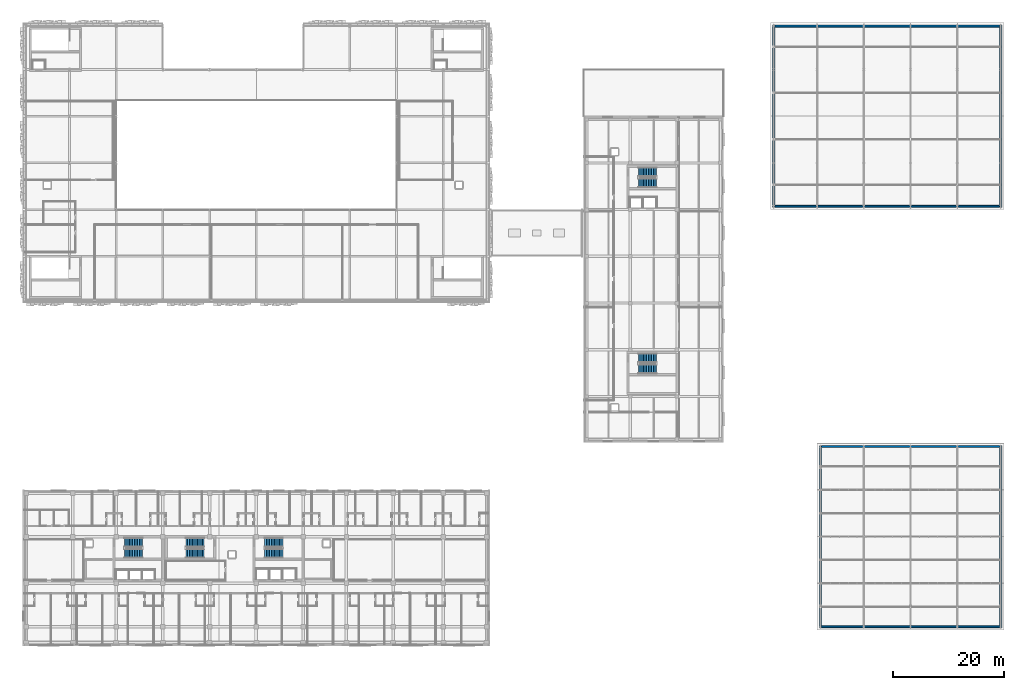
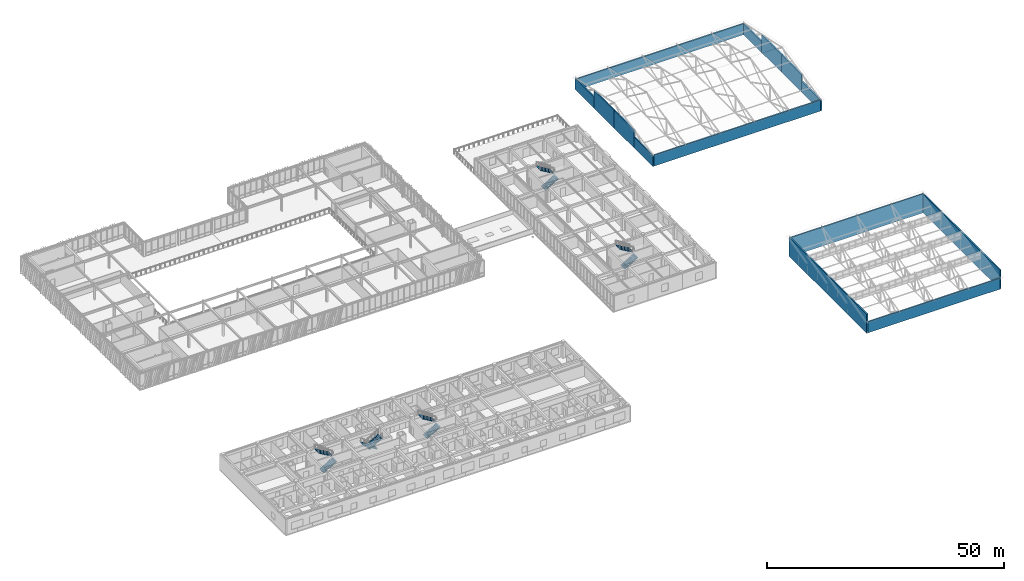
# One storey, part 115 of 123: 14 walls, 10 stair flights, 5 elements without a shape of their own.
"""IFC4 building model written with IfcOpenShell, lengths in metres."""

from ifc_helpers import new_model, si_unit, direction, frame, frame_2d, origin, place, context, subcontext, project, spatial, polyline, rectangle, outline, extrude, material, layer, layer_set, type_object, element, aggregate, save


model = new_model("IFC4")

# Units and contexts
model_context = context("Model", 3, precision=1e-05, world=origin(), true_north=direction((0.0, 1.0)))
body_context = subcontext(model_context, "Body", "Model", "MODEL_VIEW")
ifc_project = project(units=[si_unit("LENGTHUNIT", "METRE"), si_unit("AREAUNIT", "SQUARE_METRE"), si_unit("VOLUMEUNIT", "CUBIC_METRE"), si_unit("PLANEANGLEUNIT", "RADIAN"), si_unit("MASSUNIT", "GRAM", prefix="KILO")], contexts=[model_context])

# Site, building, storey
site_placement = place(None, origin())
site = spatial("IfcSite", under=ifc_project, at=site_placement, CompositionType="ELEMENT")
building_placement = place(site_placement, origin())
building = spatial("IfcBuilding", under=site, at=building_placement, Name="Zayran Congress Hotel", CompositionType="ELEMENT")
storey_placement = place(building_placement, frame((0.0, 0.0, 15.0)))
storey = spatial("IfcBuildingStorey", under=building, at=storey_placement, Name="L03", CompositionType="ELEMENT", Elevation=15.0)

# Walls
ifc_material_1 = material(Name="Hajar Ma'ani limestone and insulated concrete C32/40", Category="masonry")
ifc_layer_1 = layer(ifc_material_1, 0.340087890625)
ifc_layer_set_1 = layer_set([ifc_layer_1], Name="Hajar Ma'ani limestone and insulated concrete C32/40")
wall_type_1 = type_object("IfcWallType", Name="WL-EX-340", PredefinedType="SOLIDWALL", material=ifc_layer_set_1)
for number, where, z_axis, x_axis, name in (
    (1, (184.030029296875, 85.0, -0.199951171875), (0.0, 0.0, 1.0), (-1.0, 0.0, 0.0), "EW-V2-L03-S"),
    (2, (143.570068359375, 117.39990234375, -0.199951171875), (0.0, 0.0, 1.0), (1.0, 0.0, 0.0), "EW-V2-L03-N"),
):
    element("IfcWall", number, at=place(storey_placement, frame(where, z_axis=z_axis, x_axis=x_axis)), inside=storey, type_object=wall_type_1, Name=name, PredefinedType="SOLIDWALL", context=body_context, shape_type="SweptSolid", body=[
        extrude(rectangle(XDim=40.4599609375, YDim=0.340087890625, at=frame_2d((20.22998046875, 0.0))), origin(), (0.0, 0.0, 1.0), 2.820068359375),
    ])
for number, where, z_axis, x_axis, name in (
    (3, (143.39990234375, 84.830078125, -0.199951171875), (0.0, 0.0, 1.0), (0.0, 1.0, 0.0), "EW-V2-L03-W-0"),
    (4, (184.199951171875, 92.800048828125, -0.199951171875), (0.0, 0.0, 1.0), (0.0, -1.0, 0.0), "EW-V2-L03-E-0"),
):
    element("IfcWall", number, at=place(storey_placement, frame(where, z_axis=z_axis, x_axis=x_axis)), inside=storey, type_object=wall_type_1, Name=name, PredefinedType="SOLIDWALL", context=body_context, shape_type="SweptSolid", body=[
        extrude(rectangle(XDim=7.969970703125, YDim=0.340087890625, at=frame_2d((3.98486328125, 0.0))), origin(), (0.0, 0.0, 1.0), 2.820068359375),
    ])
for number, where, z_axis, x_axis, name in (
    (5, (143.39990234375, 92.800048828125, -0.199951171875), (0.0, 0.0, 1.0), (0.0, 1.0, 0.0), "EW-V2-L03-W-1"),
    (6, (184.199951171875, 101.199951171875, -0.199951171875), (0.0, 0.0, 1.0), (0.0, -1.0, 0.0), "EW-V2-L03-E-1"),
):
    element("IfcWall", number, at=place(storey_placement, frame(where, z_axis=z_axis, x_axis=x_axis)), inside=storey, type_object=wall_type_1, Name=name, PredefinedType="SOLIDWALL", context=body_context, shape_type="SweptSolid", body=[
        extrude(rectangle(XDim=8.39990234375, YDim=0.340087890625, at=frame_2d((4.199951171875, 0.0))), origin(), (0.0, 0.0, 1.0), 4.550048828125),
    ])
for number, where, z_axis, x_axis, name in (
    (7, (143.39990234375, 101.199951171875, -0.199951171875), (0.0, 0.0, 1.0), (0.0, 1.0, 0.0), "EW-V2-L03-W-2"),
    (8, (184.199951171875, 109.60009765625, -0.199951171875), (0.0, 0.0, 1.0), (0.0, -1.0, 0.0), "EW-V2-L03-E-2"),
):
    element("IfcWall", number, at=place(storey_placement, frame(where, z_axis=z_axis, x_axis=x_axis)), inside=storey, type_object=wall_type_1, Name=name, PredefinedType="SOLIDWALL", context=body_context, shape_type="SweptSolid", body=[
        extrude(rectangle(XDim=8.400146484375, YDim=0.340087890625, at=frame_2d((4.2001953125, 0.0))), origin(), (0.0, 0.0, 1.0), 4.550048828125),
    ])
for number, where, z_axis, x_axis, name in (
    (9, (143.39990234375, 109.60009765625, -0.199951171875), (0.0, 0.0, 1.0), (0.0, 1.0, 0.0), "EW-V2-L03-W-3"),
    (10, (184.199951171875, 117.570068359375, -0.199951171875), (0.0, 0.0, 1.0), (0.0, -1.0, 0.0), "EW-V2-L03-E-3"),
):
    element("IfcWall", number, at=place(storey_placement, frame(where, z_axis=z_axis, x_axis=x_axis)), inside=storey, type_object=wall_type_1, Name=name, PredefinedType="SOLIDWALL", context=body_context, shape_type="SweptSolid", body=[
        extrude(rectangle(XDim=7.969970703125, YDim=0.340087890625, at=frame_2d((3.98486328125, 0.0))), origin(), (0.0, 0.0, 1.0), 2.820068359375),
    ])
ifc_material_2 = material(Name="Ajlun white limestone and insulated concrete C32/40", Category="masonry")
ifc_layer_2 = layer(ifc_material_2, 0.320068359375)
ifc_layer_set_2 = layer_set([ifc_layer_2], Name="Ajlun white limestone and insulated concrete C32/40")
wall_type_2 = type_object("IfcWallType", Name="WL-EX-320", PredefinedType="SOLIDWALL", material=ifc_layer_set_2)
for number, where, z_axis, x_axis, name in (
    (11, (151.800048828125, 9.239990234375, -0.199951171875), (0.0, 0.0, 1.0), (0.0, 1.0, 0.0), "EW-V3-L03-W"),
    (12, (184.199951171875, 41.9599609375, -0.199951171875), (0.0, 0.0, 1.0), (0.0, -1.0, 0.0), "EW-V3-L03-E"),
):
    element("IfcWall", number, at=place(storey_placement, frame(where, z_axis=z_axis, x_axis=x_axis)), inside=storey, type_object=wall_type_2, Name=name, PredefinedType="SOLIDWALL", context=body_context, shape_type="SweptSolid", body=[
        extrude(rectangle(XDim=32.719970703125, YDim=0.320068359375, at=frame_2d((16.35986328125, 0.0))), origin(), (0.0, 0.0, 1.0), 4.8798828125),
    ])
wall_1_placement = place(storey_placement, frame((184.0400390625, 9.39990234375, -0.199951171875), z_axis=(0.0, 0.0, 1.0), x_axis=(-1.0, 0.0, 0.0)))
element("IfcWall", 13, at=wall_1_placement, inside=storey, type_object=wall_type_2, Name="EW-V3-L03-S", PredefinedType="SOLIDWALL", context=body_context, shape_type="SweptSolid", body=[
    extrude(rectangle(XDim=32.080078125, YDim=0.320068359375, at=frame_2d((16.0400390625, 0.0))), origin(), (0.0, 0.0, 1.0), 2.820068359375),
])
wall_2_placement = place(storey_placement, frame((151.9599609375, 41.800048828125, -0.199951171875), z_axis=(0.0, 0.0, 1.0), x_axis=(1.0, 0.0, 0.0)))
element("IfcWall", 14, at=wall_2_placement, inside=storey, type_object=wall_type_2, Name="EW-V3-L03-N", PredefinedType="SOLIDWALL", context=body_context, shape_type="SweptSolid", body=[
    extrude(rectangle(XDim=32.080078125, YDim=0.320068359375, at=frame_2d((16.0400390625, 0.0))), origin(), (0.0, 0.0, 1.0), 4.8798828125),
])

# Stair, stair flights
ifc_material_3 = material(Name="Concrete C32/40", Category="concrete")
stair_type = type_object("IfcStairType", Name="TP-STR-1700-42", PredefinedType="USERDEFINED", material=ifc_material_3)
stair_1_placement = place(storey_placement, origin())
stair_1 = element("IfcStair", 15, at=stair_1_placement, inside=storey, type_object=stair_type, Name="L03 ST-01", ObjectType="TWO_RETURN_STAIR", PredefinedType="USERDEFINED")
stair_flight_type = type_object("IfcStairFlightType", Name="TP-STF-1700-42", PredefinedType="STRAIGHT", material=ifc_material_3)
stair_flight_1_placement = place(storey_placement, frame((26.699951171875, 22.610107421875, 0.0), z_axis=(0.0, 0.0, 1.0), x_axis=(1.0, 0.0, 0.0)))
stair_flight_1 = element("IfcStairFlight", 16, at=stair_flight_1_placement, type_object=stair_flight_type, Name="ST-01 flight 1", NumberOfRisers=12, NumberOfTreads=11, PredefinedType="STRAIGHT", RiserHeight=0.17499999999999996, TreadLength=0.295, context=body_context, shape_type="SweptSolid", body=[
    extrude(outline(polyline([(0.0, 0.0), (0.0, 0.175048828125), (0.294921875, 0.175048828125), (0.294921875, 0.35009765625), (0.590087890625, 0.35009765625), (0.590087890625, 0.52490234375), (0.885009765625, 0.52490234375), (0.885009765625, 0.699951171875), (1.179931640625, 0.699951171875), (1.179931640625, 0.875), (1.47509765625, 0.875), (1.47509765625, 1.050048828125), (1.77001953125, 1.050048828125), (1.77001953125, 1.22509765625), (2.06494140625, 1.22509765625), (2.06494140625, 1.39990234375), (2.360107421875, 1.39990234375), (2.360107421875, 1.574951171875), (2.655029296875, 1.574951171875), (2.655029296875, 1.75), (2.949951171875, 1.75), (2.949951171875, 1.925048828125), (3.2451171875, 1.925048828125), (3.2451171875, 2.10009765625), (3.2451171875, 1.750732421875), (0.293701171875, 0.0), (0.0, 0.0)])), frame((0.0, 0.85009765625, 0.0), z_axis=(0.0, -1.0, 0.0), x_axis=(1.0, 0.0, 0.0)), (0.0, 0.0, 1.0), 1.699951171875),
])
stair_flight_2_placement = place(storey_placement, frame((29.945068359375, 24.550048828125, 2.10009765625), z_axis=(0.0, 0.0, 1.0), x_axis=(-1.0, 0.0, 0.0)))
stair_flight_2 = element("IfcStairFlight", 17, at=stair_flight_2_placement, type_object=stair_flight_type, Name="ST-01 flight 2", NumberOfRisers=12, NumberOfTreads=11, PredefinedType="STRAIGHT", RiserHeight=0.17499999999999996, TreadLength=0.295, context=body_context, shape_type="SweptSolid", body=[
    extrude(outline(polyline([(0.0, 0.0), (0.0, 0.175048828125), (0.294921875, 0.175048828125), (0.294921875, 0.35009765625), (0.590087890625, 0.35009765625), (0.590087890625, 0.52490234375), (0.885009765625, 0.52490234375), (0.885009765625, 0.699951171875), (1.179931640625, 0.699951171875), (1.179931640625, 0.875), (1.47509765625, 0.875), (1.47509765625, 1.050048828125), (1.77001953125, 1.050048828125), (1.77001953125, 1.22509765625), (2.06494140625, 1.22509765625), (2.06494140625, 1.39990234375), (2.360107421875, 1.39990234375), (2.360107421875, 1.574951171875), (2.655029296875, 1.574951171875), (2.655029296875, 1.75), (2.949951171875, 1.75), (2.949951171875, 1.925048828125), (3.2451171875, 1.925048828125), (3.2451171875, 2.10009765625), (3.2451171875, 1.750732421875), (0.293701171875, 0.0), (0.0, 0.0)])), frame((0.0, 0.85009765625, 0.0), z_axis=(0.0, -1.0, 0.0), x_axis=(1.0, 0.0, 0.0)), (0.0, 0.0, 1.0), 1.699951171875),
])
aggregate(stair_1, [stair_flight_1, stair_flight_2])

stair_2_placement = place(storey_placement, origin())
stair_2 = element("IfcStair", 18, at=stair_2_placement, inside=storey, type_object=stair_type, Name="L03 ST-02", ObjectType="TWO_RETURN_STAIR", PredefinedType="USERDEFINED")
stair_flight_3_placement = place(storey_placement, frame((51.89990234375, 22.610107421875, 0.0), z_axis=(0.0, 0.0, 1.0), x_axis=(1.0, 0.0, 0.0)))
stair_flight_3 = element("IfcStairFlight", 19, at=stair_flight_3_placement, type_object=stair_flight_type, Name="ST-02 flight 1", NumberOfRisers=12, NumberOfTreads=11, PredefinedType="STRAIGHT", RiserHeight=0.17499999999999996, TreadLength=0.295, context=body_context, shape_type="SweptSolid", body=[
    extrude(outline(polyline([(0.0, 0.0), (0.0, 0.175048828125), (0.294921875, 0.175048828125), (0.294921875, 0.35009765625), (0.590087890625, 0.35009765625), (0.590087890625, 0.52490234375), (0.885009765625, 0.52490234375), (0.885009765625, 0.699951171875), (1.179931640625, 0.699951171875), (1.179931640625, 0.875), (1.47509765625, 0.875), (1.47509765625, 1.050048828125), (1.77001953125, 1.050048828125), (1.77001953125, 1.22509765625), (2.06494140625, 1.22509765625), (2.06494140625, 1.39990234375), (2.360107421875, 1.39990234375), (2.360107421875, 1.574951171875), (2.655029296875, 1.574951171875), (2.655029296875, 1.75), (2.949951171875, 1.75), (2.949951171875, 1.925048828125), (3.2451171875, 1.925048828125), (3.2451171875, 2.10009765625), (3.2451171875, 1.750732421875), (0.293701171875, 0.0), (0.0, 0.0)])), frame((0.0, 0.85009765625, 0.0), z_axis=(0.0, -1.0, 0.0), x_axis=(1.0, 0.0, 0.0)), (0.0, 0.0, 1.0), 1.699951171875),
])
stair_flight_4_placement = place(storey_placement, frame((55.14501953125, 24.550048828125, 2.10009765625), z_axis=(0.0, 0.0, 1.0), x_axis=(-1.0, 0.0, 0.0)))
stair_flight_4 = element("IfcStairFlight", 20, at=stair_flight_4_placement, type_object=stair_flight_type, Name="ST-02 flight 2", NumberOfRisers=12, NumberOfTreads=11, PredefinedType="STRAIGHT", RiserHeight=0.17499999999999996, TreadLength=0.295, context=body_context, shape_type="SweptSolid", body=[
    extrude(outline(polyline([(0.0, 0.0), (0.0, 0.175048828125), (0.294921875, 0.175048828125), (0.294921875, 0.35009765625), (0.590087890625, 0.35009765625), (0.590087890625, 0.52490234375), (0.885009765625, 0.52490234375), (0.885009765625, 0.699951171875), (1.179931640625, 0.699951171875), (1.179931640625, 0.875), (1.47509765625, 0.875), (1.47509765625, 1.050048828125), (1.77001953125, 1.050048828125), (1.77001953125, 1.22509765625), (2.06494140625, 1.22509765625), (2.06494140625, 1.39990234375), (2.360107421875, 1.39990234375), (2.360107421875, 1.574951171875), (2.655029296875, 1.574951171875), (2.655029296875, 1.75), (2.949951171875, 1.75), (2.949951171875, 1.925048828125), (3.2451171875, 1.925048828125), (3.2451171875, 2.10009765625), (3.2451171875, 1.750732421875), (0.293701171875, 0.0), (0.0, 0.0)])), frame((0.0, 0.85009765625, 0.0), z_axis=(0.0, -1.0, 0.0), x_axis=(1.0, 0.0, 0.0)), (0.0, 0.0, 1.0), 1.699951171875),
])
aggregate(stair_2, [stair_flight_3, stair_flight_4])

stair_3_placement = place(storey_placement, origin())
stair_3 = element("IfcStair", 21, at=stair_3_placement, inside=storey, type_object=stair_type, Name="L03 ST-13", ObjectType="TWO_RETURN_STAIR", PredefinedType="USERDEFINED")
stair_flight_5_placement = place(storey_placement, frame((41.0, 24.550048828125, 0.0), z_axis=(0.0, 0.0, 1.0), x_axis=(-1.0, 0.0, 0.0)))
stair_flight_5 = element("IfcStairFlight", 22, at=stair_flight_5_placement, type_object=stair_flight_type, Name="ST-13 flight 1", NumberOfRisers=12, NumberOfTreads=11, PredefinedType="STRAIGHT", RiserHeight=0.17499999999999996, TreadLength=0.295, context=body_context, shape_type="SweptSolid", body=[
    extrude(outline(polyline([(0.0, 0.0), (0.0, 0.175048828125), (0.294921875, 0.175048828125), (0.294921875, 0.35009765625), (0.590087890625, 0.35009765625), (0.590087890625, 0.52490234375), (0.885009765625, 0.52490234375), (0.885009765625, 0.699951171875), (1.179931640625, 0.699951171875), (1.179931640625, 0.875), (1.47509765625, 0.875), (1.47509765625, 1.050048828125), (1.77001953125, 1.050048828125), (1.77001953125, 1.22509765625), (2.06494140625, 1.22509765625), (2.06494140625, 1.39990234375), (2.360107421875, 1.39990234375), (2.360107421875, 1.574951171875), (2.655029296875, 1.574951171875), (2.655029296875, 1.75), (2.949951171875, 1.75), (2.949951171875, 1.925048828125), (3.2451171875, 1.925048828125), (3.2451171875, 2.10009765625), (3.2451171875, 1.750732421875), (0.293701171875, 0.0), (0.0, 0.0)])), frame((0.0, 0.85009765625, 0.0), z_axis=(0.0, -1.0, 0.0), x_axis=(1.0, 0.0, 0.0)), (0.0, 0.0, 1.0), 1.699951171875),
])
stair_flight_6_placement = place(storey_placement, frame((37.7548828125, 22.610107421875, 2.10009765625), z_axis=(0.0, 0.0, 1.0), x_axis=(1.0, 0.0, 0.0)))
stair_flight_6 = element("IfcStairFlight", 23, at=stair_flight_6_placement, type_object=stair_flight_type, Name="ST-13 flight 2", NumberOfRisers=12, NumberOfTreads=11, PredefinedType="STRAIGHT", RiserHeight=0.17499999999999996, TreadLength=0.295, context=body_context, shape_type="SweptSolid", body=[
    extrude(outline(polyline([(0.0, 0.0), (0.0, 0.175048828125), (0.294921875, 0.175048828125), (0.294921875, 0.35009765625), (0.590087890625, 0.35009765625), (0.590087890625, 0.52490234375), (0.885009765625, 0.52490234375), (0.885009765625, 0.699951171875), (1.179931640625, 0.699951171875), (1.179931640625, 0.875), (1.47509765625, 0.875), (1.47509765625, 1.050048828125), (1.77001953125, 1.050048828125), (1.77001953125, 1.22509765625), (2.06494140625, 1.22509765625), (2.06494140625, 1.39990234375), (2.360107421875, 1.39990234375), (2.360107421875, 1.574951171875), (2.655029296875, 1.574951171875), (2.655029296875, 1.75), (2.949951171875, 1.75), (2.949951171875, 1.925048828125), (3.2451171875, 1.925048828125), (3.2451171875, 2.10009765625), (3.2451171875, 1.750732421875), (0.293701171875, 0.0), (0.0, 0.0)])), frame((0.0, 0.85009765625, 0.0), z_axis=(0.0, -1.0, 0.0), x_axis=(1.0, 0.0, 0.0)), (0.0, 0.0, 1.0), 1.699951171875),
])
aggregate(stair_3, [stair_flight_5, stair_flight_6])

stair_4_placement = place(storey_placement, origin())
stair_4 = element("IfcStair", 24, at=stair_4_placement, inside=storey, type_object=stair_type, Name="L03 ST-07", ObjectType="TWO_RETURN_STAIR", PredefinedType="USERDEFINED")
stair_flight_7_placement = place(storey_placement, frame((119.10009765625, 89.2099609375, 0.0), z_axis=(0.0, 0.0, 1.0), x_axis=(1.0, 0.0, 0.0)))
stair_flight_7 = element("IfcStairFlight", 25, at=stair_flight_7_placement, type_object=stair_flight_type, Name="ST-07 flight 1", NumberOfRisers=12, NumberOfTreads=11, PredefinedType="STRAIGHT", RiserHeight=0.17499999999999996, TreadLength=0.295, context=body_context, shape_type="SweptSolid", body=[
    extrude(outline(polyline([(0.0, 0.0), (0.0, 0.175048828125), (0.294921875, 0.175048828125), (0.294921875, 0.35009765625), (0.590087890625, 0.35009765625), (0.590087890625, 0.52490234375), (0.885009765625, 0.52490234375), (0.885009765625, 0.699951171875), (1.179931640625, 0.699951171875), (1.179931640625, 0.875), (1.47509765625, 0.875), (1.47509765625, 1.050048828125), (1.77001953125, 1.050048828125), (1.77001953125, 1.22509765625), (2.06494140625, 1.22509765625), (2.06494140625, 1.39990234375), (2.360107421875, 1.39990234375), (2.360107421875, 1.574951171875), (2.655029296875, 1.574951171875), (2.655029296875, 1.75), (2.949951171875, 1.75), (2.949951171875, 1.925048828125), (3.2451171875, 1.925048828125), (3.2451171875, 2.10009765625), (3.2451171875, 1.750732421875), (0.293701171875, 0.0), (0.0, 0.0)])), frame((0.0, 0.85009765625, 0.0), z_axis=(0.0, -1.0, 0.0), x_axis=(1.0, 0.0, 0.0)), (0.0, 0.0, 1.0), 1.699951171875),
])
stair_flight_8_placement = place(storey_placement, frame((122.344970703125, 91.14990234375, 2.10009765625), z_axis=(0.0, 0.0, 1.0), x_axis=(-1.0, 0.0, 0.0)))
stair_flight_8 = element("IfcStairFlight", 26, at=stair_flight_8_placement, type_object=stair_flight_type, Name="ST-07 flight 2", NumberOfRisers=12, NumberOfTreads=11, PredefinedType="STRAIGHT", RiserHeight=0.17499999999999996, TreadLength=0.295, context=body_context, shape_type="SweptSolid", body=[
    extrude(outline(polyline([(0.0, 0.0), (0.0, 0.175048828125), (0.294921875, 0.175048828125), (0.294921875, 0.35009765625), (0.590087890625, 0.35009765625), (0.590087890625, 0.52490234375), (0.885009765625, 0.52490234375), (0.885009765625, 0.699951171875), (1.179931640625, 0.699951171875), (1.179931640625, 0.875), (1.47509765625, 0.875), (1.47509765625, 1.050048828125), (1.77001953125, 1.050048828125), (1.77001953125, 1.22509765625), (2.06494140625, 1.22509765625), (2.06494140625, 1.39990234375), (2.360107421875, 1.39990234375), (2.360107421875, 1.574951171875), (2.655029296875, 1.574951171875), (2.655029296875, 1.75), (2.949951171875, 1.75), (2.949951171875, 1.925048828125), (3.2451171875, 1.925048828125), (3.2451171875, 2.10009765625), (3.2451171875, 1.750732421875), (0.293701171875, 0.0), (0.0, 0.0)])), frame((0.0, 0.85009765625, 0.0), z_axis=(0.0, -1.0, 0.0), x_axis=(1.0, 0.0, 0.0)), (0.0, 0.0, 1.0), 1.699951171875),
])
aggregate(stair_4, [stair_flight_7, stair_flight_8])

stair_5_placement = place(storey_placement, origin())
stair_5 = element("IfcStair", 27, at=stair_5_placement, inside=storey, type_object=stair_type, Name="L03 ST-08", ObjectType="TWO_RETURN_STAIR", PredefinedType="USERDEFINED")
stair_flight_9_placement = place(storey_placement, frame((119.10009765625, 55.760009765625, 0.0), z_axis=(0.0, 0.0, 1.0), x_axis=(1.0, 0.0, 0.0)))
stair_flight_9 = element("IfcStairFlight", 28, at=stair_flight_9_placement, type_object=stair_flight_type, Name="ST-08 flight 1", NumberOfRisers=12, NumberOfTreads=11, PredefinedType="STRAIGHT", RiserHeight=0.17499999999999996, TreadLength=0.295, context=body_context, shape_type="SweptSolid", body=[
    extrude(outline(polyline([(0.0, 0.0), (0.0, 0.175048828125), (0.294921875, 0.175048828125), (0.294921875, 0.35009765625), (0.590087890625, 0.35009765625), (0.590087890625, 0.52490234375), (0.885009765625, 0.52490234375), (0.885009765625, 0.699951171875), (1.179931640625, 0.699951171875), (1.179931640625, 0.875), (1.47509765625, 0.875), (1.47509765625, 1.050048828125), (1.77001953125, 1.050048828125), (1.77001953125, 1.22509765625), (2.06494140625, 1.22509765625), (2.06494140625, 1.39990234375), (2.360107421875, 1.39990234375), (2.360107421875, 1.574951171875), (2.655029296875, 1.574951171875), (2.655029296875, 1.75), (2.949951171875, 1.75), (2.949951171875, 1.925048828125), (3.2451171875, 1.925048828125), (3.2451171875, 2.10009765625), (3.2451171875, 1.750732421875), (0.293701171875, 0.0), (0.0, 0.0)])), frame((0.0, 0.85009765625, 0.0), z_axis=(0.0, -1.0, 0.0), x_axis=(1.0, 0.0, 0.0)), (0.0, 0.0, 1.0), 1.699951171875),
])
stair_flight_10_placement = place(storey_placement, frame((122.344970703125, 57.699951171875, 2.10009765625), z_axis=(0.0, 0.0, 1.0), x_axis=(-1.0, 0.0, 0.0)))
stair_flight_10 = element("IfcStairFlight", 29, at=stair_flight_10_placement, type_object=stair_flight_type, Name="ST-08 flight 2", NumberOfRisers=12, NumberOfTreads=11, PredefinedType="STRAIGHT", RiserHeight=0.17499999999999996, TreadLength=0.295, context=body_context, shape_type="SweptSolid", body=[
    extrude(outline(polyline([(0.0, 0.0), (0.0, 0.175048828125), (0.294921875, 0.175048828125), (0.294921875, 0.35009765625), (0.590087890625, 0.35009765625), (0.590087890625, 0.52490234375), (0.885009765625, 0.52490234375), (0.885009765625, 0.699951171875), (1.179931640625, 0.699951171875), (1.179931640625, 0.875), (1.47509765625, 0.875), (1.47509765625, 1.050048828125), (1.77001953125, 1.050048828125), (1.77001953125, 1.22509765625), (2.06494140625, 1.22509765625), (2.06494140625, 1.39990234375), (2.360107421875, 1.39990234375), (2.360107421875, 1.574951171875), (2.655029296875, 1.574951171875), (2.655029296875, 1.75), (2.949951171875, 1.75), (2.949951171875, 1.925048828125), (3.2451171875, 1.925048828125), (3.2451171875, 2.10009765625), (3.2451171875, 1.750732421875), (0.293701171875, 0.0), (0.0, 0.0)])), frame((0.0, 0.85009765625, 0.0), z_axis=(0.0, -1.0, 0.0), x_axis=(1.0, 0.0, 0.0)), (0.0, 0.0, 1.0), 1.699951171875),
])
aggregate(stair_5, [stair_flight_9, stair_flight_10])

save(model, "model.ifc")
